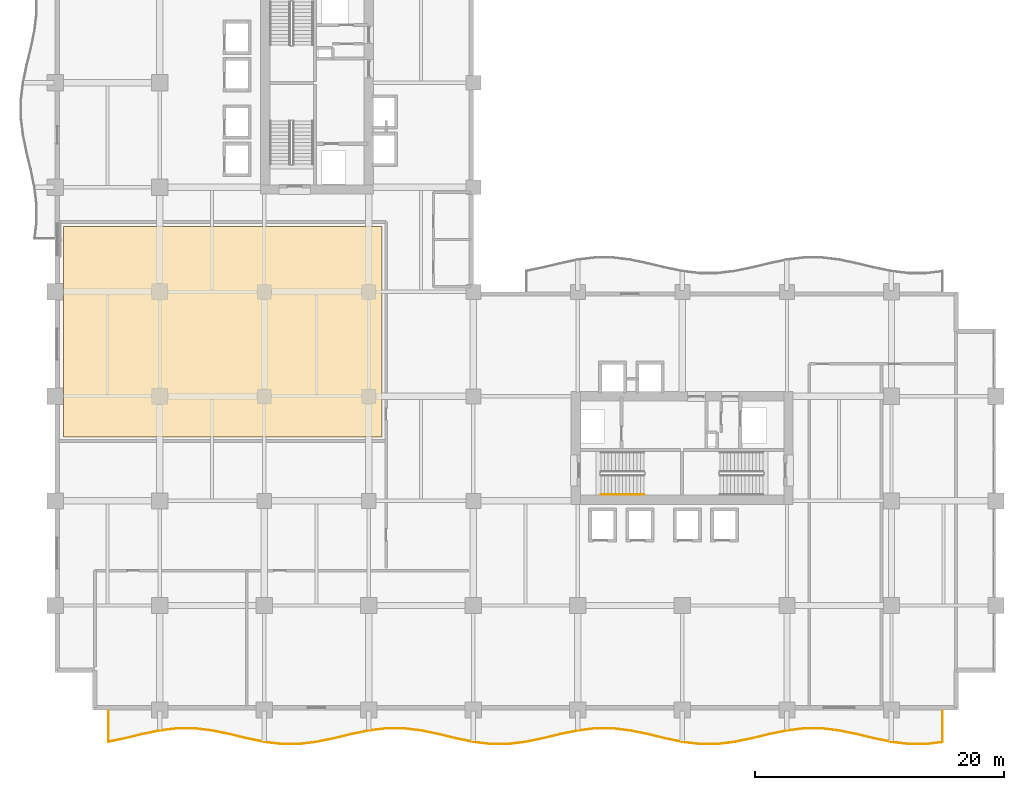
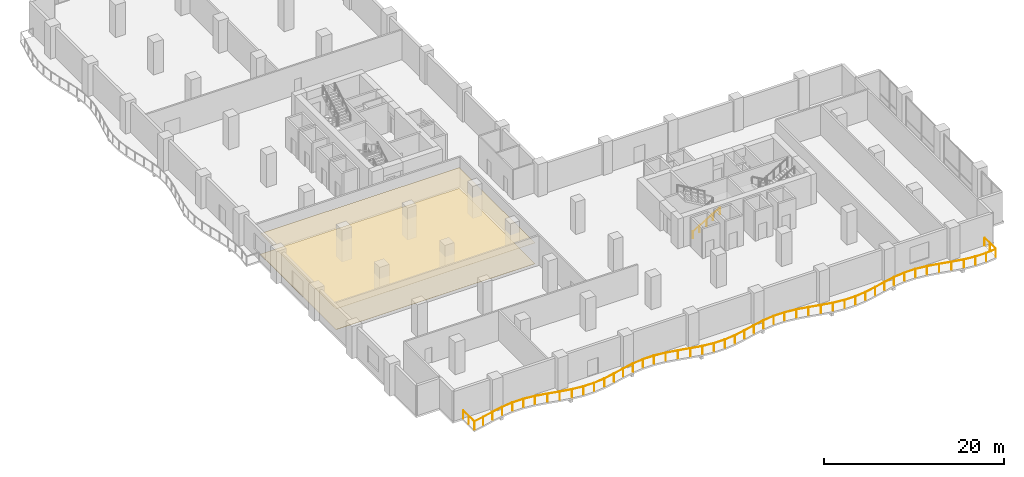
# One storey, part 21 of 24: 2 coverings, 2 railings.
"""IFC4 building model written with IfcOpenShell, lengths in metres."""

from ifc_helpers import new_model, si_unit, direction, frame, origin, origin_2d, place, context, subcontext, project, spatial, polyline, circle, outline, extrude, material, layer, layer_set, type_object, element, save


model = new_model("IFC4")

# Units and contexts
model_context = context("Model", 3, precision=1e-05, world=origin(), true_north=direction((0.0, 1.0)))
body_context = subcontext(model_context, "Body", "Model", "MODEL_VIEW")
ifc_project = project(units=[si_unit("LENGTHUNIT", "METRE"), si_unit("AREAUNIT", "SQUARE_METRE"), si_unit("VOLUMEUNIT", "CUBIC_METRE"), si_unit("PLANEANGLEUNIT", "RADIAN"), si_unit("MASSUNIT", "GRAM", prefix="KILO")], contexts=[model_context])

# Site, building, storey
site_placement = place(None, origin())
site = spatial("IfcSite", under=ifc_project, at=site_placement, CompositionType="ELEMENT")
building_placement = place(site_placement, origin())
building = spatial("IfcBuilding", under=site, at=building_placement, Name="Koriwani Terraces Tower", CompositionType="ELEMENT")
storey_placement = place(building_placement, frame((0.0, 0.0, 89.60009765625)))
storey = spatial("IfcBuildingStorey", under=building, at=storey_placement, Name="L21", CompositionType="ELEMENT", Elevation=89.60009765625)

# Coverings
ifc_material_1 = material(Name="Fire-Rated Acoustic Gypsum Partition", Category="masonry")
ifc_layer_1 = layer(ifc_material_1, 0.02490234375, Name="Fire-Rated Acoustic Gypsum Partition")
ifc_layer_set_1 = layer_set([ifc_layer_1], Name="Fire-Rated Acoustic Gypsum Partition")
covering_type_1 = type_object("IfcCoveringType", Name="CEILING_ACOUSTIC_GYPSUM", PredefinedType="CEILING", material=ifc_layer_set_1)
covering_1_placement = place(storey_placement, frame((0.0, 0.0, 2.824951171875)))
element("IfcCovering", 1, at=covering_1_placement, inside=storey, type_object=covering_type_1, Name="L21 Suspended Acoustic Gypsum Ceiling", PredefinedType="CEILING", context=body_context, shape_type="SweptSolid", body=[
    extrude(outline(polyline([(0.64990234375, 21.949951171875), (0.64990234375, 38.85009765625), (26.25, 38.85009765625), (26.25, 21.949951171875), (0.64990234375, 21.949951171875)])), origin(), (0.0, 0.0, 1.0), 0.02490234375),
])
ifc_material_2 = material(Name="Polished Andean Slate Flooring", Category="masonry")
ifc_layer_2 = layer(ifc_material_2, 0.030029296875, Name="Polished Andean Slate Flooring")
ifc_layer_set_2 = layer_set([ifc_layer_2], Name="Polished Andean Slate Flooring")
covering_type_2 = type_object("IfcCoveringType", Name="FLOORING_ANDEAN_STONE", PredefinedType="FLOORING", material=ifc_layer_set_2)
covering_2_placement = place(storey_placement, origin())
element("IfcCovering", 2, at=covering_2_placement, inside=storey, type_object=covering_type_2, Name="L21 Polished Andean Slate Floor Finish", PredefinedType="FLOORING", context=body_context, shape_type="SweptSolid", body=[
    extrude(outline(polyline([(0.64990234375, 21.949951171875), (0.64990234375, 38.85009765625), (26.25, 38.85009765625), (26.25, 21.949951171875), (0.64990234375, 21.949951171875)])), origin(), (0.0, 0.0, 1.0), 0.02978515625),
])

# Railings
ifc_material_3 = material(Name="Steel ASTM A572 Grade 50", Category="steel")
railing_type_1 = type_object("IfcRailingType", Name="GUARD_BALUSTRADE_1150", PredefinedType="BALUSTRADE", material=ifc_material_3)
railing_1_placement = place(storey_placement, frame((4.280029296875, -0.080078125, 0.0)))
element("IfcRailing", 3, at=railing_1_placement, inside=storey, type_object=railing_type_1, Name="L21 Balcony Perimeter Safety Balustrade (S)", PredefinedType="BALUSTRADE", context=body_context, shape_type="SweptSolid", body=[
    extrude(circle(Radius=0.02392578125, at=origin_2d()), frame((0.0, 0.0, 1.1259765625), z_axis=(0.0, -1.0, 0.0), x_axis=(1.0, 0.0, 0.0)), (0.0, 0.0, 1.0), 2.481201171875),
    extrude(circle(Radius=0.02392578125, at=origin_2d()), frame((0.0, -2.481201171875, 1.1259765625), z_axis=(0.978997209688, 0.203873645729, 0.0), x_axis=(-0.203873645729, 0.978997209688, 0.0)), (0.0, 0.0, 1.0), 1.330322265625),
    extrude(circle(Radius=0.02392578125, at=origin_2d()), frame((1.302490234375, -2.2099609375, 1.1259765625), z_axis=(0.972316453264, 0.233667958249, 0.0), x_axis=(-0.233667958249, 0.972316453264, 0.0)), (0.0, 0.0, 1.0), 1.439697265625),
    extrude(circle(Radius=0.02392578125, at=origin_2d()), frame((2.702392578125, -1.87353515625, 1.1259765625), z_axis=(0.979073746732, 0.203505770089, 0.0), x_axis=(-0.203505770089, 0.979073746732, 0.0)), (0.0, 0.0, 1.0), 1.434814453125),
    extrude(circle(Radius=0.02392578125, at=origin_2d()), frame((4.107177734375, -1.58154296875, 1.1259765625), z_axis=(0.992857273618, 0.119308148191, 0.0), x_axis=(-0.119308148191, 0.992857273618, 0.0)), (0.0, 0.0, 1.0), 1.41796875),
    extrude(circle(Radius=0.02392578125, at=origin_2d()), frame((5.51513671875, -1.412353515625, 1.1259765625), z_axis=(1.0, 0.0, 0.0), x_axis=(0.0, 1.0, 0.0)), (0.0, 0.0, 1.0), 1.40966796875),
    extrude(circle(Radius=0.02392578125, at=origin_2d()), frame((6.9248046875, -1.412353515625, 1.1259765625), z_axis=(0.992857273618, -0.119308148191, 0.0), x_axis=(0.119308148191, 0.992857273618, 0.0)), (0.0, 0.0, 1.0), 1.41796875),
    extrude(circle(Radius=0.02392578125, at=origin_2d()), frame((8.332763671875, -1.58154296875, 1.1259765625), z_axis=(0.979073746732, -0.203505770089, 0.0), x_axis=(0.203505770089, 0.979073746732, 0.0)), (0.0, 0.0, 1.0), 1.434814453125),
    extrude(circle(Radius=0.02392578125, at=origin_2d()), frame((9.737548828125, -1.87353515625, 1.1259765625), z_axis=(0.972316453264, -0.233667958249, 0.0), x_axis=(0.233667958249, 0.972316453264, 0.0)), (0.0, 0.0, 1.0), 1.439697265625),
    extrude(circle(Radius=0.02392578125, at=origin_2d()), frame((11.137451171875, -2.2099609375, 1.1259765625), z_axis=(0.979008908546, -0.203817459967, 0.0), x_axis=(0.203817459967, 0.979008908546, 0.0)), (0.0, 0.0, 1.0), 1.425537109375),
    extrude(circle(Radius=0.02392578125, at=origin_2d()), frame((12.532958984375, -2.50048828125, 1.1259765625), z_axis=(0.992858697273, -0.119296300234, 0.0), x_axis=(0.119296300234, 0.992858697273, 0.0)), (0.0, 0.0, 1.0), 1.40185546875),
    extrude(circle(Radius=0.02392578125, at=origin_2d()), frame((13.9248046875, -2.667724609375, 1.1259765625), z_axis=(1.0, 0.0, 0.0), x_axis=(0.0, 1.0, 0.0)), (0.0, 0.0, 1.0), 1.390380859375),
    extrude(circle(Radius=0.02392578125, at=origin_2d()), frame((15.315185546875, -2.667724609375, 1.1259765625), z_axis=(0.992858697273, 0.119296300234, 0.0), x_axis=(-0.119296300234, 0.992858697273, 0.0)), (0.0, 0.0, 1.0), 1.40185546875),
    extrude(circle(Radius=0.02392578125, at=origin_2d()), frame((16.70703125, -2.50048828125, 1.1259765625), z_axis=(0.979008908546, 0.203817459967, 0.0), x_axis=(-0.203817459967, 0.979008908546, 0.0)), (0.0, 0.0, 1.0), 1.425537109375),
    extrude(circle(Radius=0.02392578125, at=origin_2d()), frame((18.1025390625, -2.2099609375, 1.1259765625), z_axis=(0.972316453264, 0.233667958249, 0.0), x_axis=(-0.233667958249, 0.972316453264, 0.0)), (0.0, 0.0, 1.0), 1.439697265625),
    extrude(circle(Radius=0.02392578125, at=origin_2d()), frame((19.50244140625, -1.87353515625, 1.1259765625), z_axis=(0.979066698056, 0.203539678581, 0.0), x_axis=(-0.203539678581, 0.979066698056, 0.0)), (0.0, 0.0, 1.0), 1.4345703125),
    extrude(circle(Radius=0.02392578125, at=origin_2d()), frame((20.906982421875, -1.58154296875, 1.1259765625), z_axis=(0.992859723616, 0.119287758056, 0.0), x_axis=(-0.119287758056, 0.992859723616, 0.0)), (0.0, 0.0, 1.0), 1.418212890625),
    extrude(circle(Radius=0.02392578125, at=origin_2d()), frame((22.315185546875, -1.412353515625, 1.1259765625), z_axis=(1.0, 0.0, 0.0), x_axis=(0.0, 1.0, 0.0)), (0.0, 0.0, 1.0), 1.40966796875),
    extrude(circle(Radius=0.02392578125, at=origin_2d()), frame((23.724853515625, -1.412353515625, 1.1259765625), z_axis=(0.992857273618, -0.119308148191, 0.0), x_axis=(0.119308148191, 0.992857273618, 0.0)), (0.0, 0.0, 1.0), 1.41796875),
    extrude(circle(Radius=0.02392578125, at=origin_2d()), frame((25.1328125, -1.58154296875, 1.1259765625), z_axis=(0.979066698056, -0.203539678581, 0.0), x_axis=(0.203539678581, 0.979066698056, 0.0)), (0.0, 0.0, 1.0), 1.4345703125),
    extrude(circle(Radius=0.02392578125, at=origin_2d()), frame((26.537353515625, -1.87353515625, 1.1259765625), z_axis=(0.972325709638, -0.233629438166, 0.0), x_axis=(0.233629438166, 0.972325709638, 0.0)), (0.0, 0.0, 1.0), 1.43994140625),
    extrude(circle(Radius=0.02392578125, at=origin_2d()), frame((27.9375, -2.2099609375, 1.1259765625), z_axis=(0.979001791719, -0.20385164167, 0.0), x_axis=(0.20385164167, 0.979001791719, 0.0)), (0.0, 0.0, 1.0), 1.42529296875),
    extrude(circle(Radius=0.02392578125, at=origin_2d()), frame((29.332763671875, -2.50048828125, 1.1259765625), z_axis=(0.992861175138, -0.119275676073, 0.0), x_axis=(0.119275676073, 0.992861175138, 0.0)), (0.0, 0.0, 1.0), 1.402099609375),
    extrude(circle(Radius=0.02392578125, at=origin_2d()), frame((30.724853515625, -2.667724609375, 1.1259765625), z_axis=(1.0, 0.0, 0.0), x_axis=(0.0, 1.0, 0.0)), (0.0, 0.0, 1.0), 1.390380859375),
    extrude(circle(Radius=0.02392578125, at=origin_2d()), frame((32.115234375, -2.667724609375, 1.1259765625), z_axis=(0.992858697273, 0.119296300234, 0.0), x_axis=(-0.119296300234, 0.992858697273, 0.0)), (0.0, 0.0, 1.0), 1.40185546875),
    extrude(circle(Radius=0.02392578125, at=origin_2d()), frame((33.507080078125, -2.50048828125, 1.1259765625), z_axis=(0.979008908546, 0.203817459967, 0.0), x_axis=(-0.203817459967, 0.979008908546, 0.0)), (0.0, 0.0, 1.0), 1.425537109375),
    extrude(circle(Radius=0.02392578125, at=origin_2d()), frame((34.902587890625, -2.2099609375, 1.1259765625), z_axis=(0.972316453264, 0.233667958249, 0.0), x_axis=(-0.233667958249, 0.972316453264, 0.0)), (0.0, 0.0, 1.0), 1.439697265625),
    extrude(circle(Radius=0.02392578125, at=origin_2d()), frame((36.302490234375, -1.87353515625, 1.1259765625), z_axis=(0.979066698056, 0.203539678581, 0.0), x_axis=(-0.203539678581, 0.979066698056, 0.0)), (0.0, 0.0, 1.0), 1.4345703125),
    extrude(circle(Radius=0.02392578125, at=origin_2d()), frame((37.70703125, -1.58154296875, 1.1259765625), z_axis=(0.992859723616, 0.119287758056, 0.0), x_axis=(-0.119287758056, 0.992859723616, 0.0)), (0.0, 0.0, 1.0), 1.418212890625),
    extrude(circle(Radius=0.02392578125, at=origin_2d()), frame((39.115234375, -1.412353515625, 1.1259765625), z_axis=(1.0, 0.0, 0.0), x_axis=(0.0, 1.0, 0.0)), (0.0, 0.0, 1.0), 1.409423828125),
    extrude(circle(Radius=0.02392578125, at=origin_2d()), frame((40.524658203125, -1.412353515625, 1.1259765625), z_axis=(0.992859723616, -0.119287758056, 0.0), x_axis=(0.119287758056, 0.992859723616, 0.0)), (0.0, 0.0, 1.0), 1.418212890625),
    extrude(circle(Radius=0.02392578125, at=origin_2d()), frame((41.932861328125, -1.58154296875, 1.1259765625), z_axis=(0.979066698056, -0.203539678581, 0.0), x_axis=(0.203539678581, 0.979066698056, 0.0)), (0.0, 0.0, 1.0), 1.4345703125),
    extrude(circle(Radius=0.02392578125, at=origin_2d()), frame((43.33740234375, -1.87353515625, 1.1259765625), z_axis=(0.972325709638, -0.233629438166, 0.0), x_axis=(0.233629438166, 0.972325709638, 0.0)), (0.0, 0.0, 1.0), 1.43994140625),
    extrude(circle(Radius=0.02392578125, at=origin_2d()), frame((44.737548828125, -2.2099609375, 1.1259765625), z_axis=(0.979001791719, -0.20385164167, 0.0), x_axis=(0.20385164167, 0.979001791719, 0.0)), (0.0, 0.0, 1.0), 1.42529296875),
    extrude(circle(Radius=0.02392578125, at=origin_2d()), frame((46.1328125, -2.50048828125, 1.1259765625), z_axis=(0.992858697273, -0.119296300234, 0.0), x_axis=(0.119296300234, 0.992858697273, 0.0)), (0.0, 0.0, 1.0), 1.40185546875),
    extrude(circle(Radius=0.02392578125, at=origin_2d()), frame((47.524658203125, -2.667724609375, 1.1259765625), z_axis=(1.0, 0.0, 0.0), x_axis=(0.0, 1.0, 0.0)), (0.0, 0.0, 1.0), 1.390625),
    extrude(circle(Radius=0.02392578125, at=origin_2d()), frame((48.915283203125, -2.667724609375, 1.1259765625), z_axis=(0.992858697273, 0.119296300234, 0.0), x_axis=(-0.119296300234, 0.992858697273, 0.0)), (0.0, 0.0, 1.0), 1.40185546875),
    extrude(circle(Radius=0.02392578125, at=origin_2d()), frame((50.30712890625, -2.50048828125, 1.1259765625), z_axis=(0.979001791719, 0.20385164167, 0.0), x_axis=(-0.20385164167, 0.979001791719, 0.0)), (0.0, 0.0, 1.0), 1.42529296875),
    extrude(circle(Radius=0.02392578125, at=origin_2d()), frame((51.702392578125, -2.2099609375, 1.1259765625), z_axis=(0.972325709638, 0.233629438166, 0.0), x_axis=(-0.233629438166, 0.972325709638, 0.0)), (0.0, 0.0, 1.0), 1.43994140625),
    extrude(circle(Radius=0.02392578125, at=origin_2d()), frame((53.1025390625, -1.87353515625, 1.1259765625), z_axis=(0.979066698056, 0.203539678581, 0.0), x_axis=(-0.203539678581, 0.979066698056, 0.0)), (0.0, 0.0, 1.0), 1.4345703125),
    extrude(circle(Radius=0.02392578125, at=origin_2d()), frame((54.507080078125, -1.58154296875, 1.1259765625), z_axis=(0.992859723616, 0.119287758056, 0.0), x_axis=(-0.119287758056, 0.992859723616, 0.0)), (0.0, 0.0, 1.0), 1.418212890625),
    extrude(circle(Radius=0.02392578125, at=origin_2d()), frame((55.915283203125, -1.412353515625, 1.1259765625), z_axis=(1.0, 0.0, 0.0), x_axis=(0.0, 1.0, 0.0)), (0.0, 0.0, 1.0), 1.409423828125),
    extrude(circle(Radius=0.02392578125, at=origin_2d()), frame((57.32470703125, -1.412353515625, 1.1259765625), z_axis=(0.992859723616, -0.119287758056, 0.0), x_axis=(0.119287758056, 0.992859723616, 0.0)), (0.0, 0.0, 1.0), 1.418212890625),
    extrude(circle(Radius=0.02392578125, at=origin_2d()), frame((58.73291015625, -1.58154296875, 1.1259765625), z_axis=(0.979066698056, -0.203539678581, 0.0), x_axis=(0.203539678581, 0.979066698056, 0.0)), (0.0, 0.0, 1.0), 1.4345703125),
    extrude(circle(Radius=0.02392578125, at=origin_2d()), frame((60.137451171875, -1.87353515625, 1.1259765625), z_axis=(0.972316453264, -0.233667958249, 0.0), x_axis=(0.233667958249, 0.972316453264, 0.0)), (0.0, 0.0, 1.0), 1.439697265625),
    extrude(circle(Radius=0.02392578125, at=origin_2d()), frame((61.537353515625, -2.2099609375, 1.1259765625), z_axis=(0.979008908546, -0.203817459967, 0.0), x_axis=(0.203817459967, 0.979008908546, 0.0)), (0.0, 0.0, 1.0), 1.425537109375),
    extrude(circle(Radius=0.02392578125, at=origin_2d()), frame((62.932861328125, -2.50048828125, 1.1259765625), z_axis=(0.992858697273, -0.119296300234, 0.0), x_axis=(0.119296300234, 0.992858697273, 0.0)), (0.0, 0.0, 1.0), 1.40185546875),
    extrude(circle(Radius=0.02392578125, at=origin_2d()), frame((64.32470703125, -2.667724609375, 1.1259765625), z_axis=(1.0, 0.0, 0.0), x_axis=(0.0, 1.0, 0.0)), (0.0, 0.0, 1.0), 1.390380859375),
    extrude(circle(Radius=0.02392578125, at=origin_2d()), frame((65.715087890625, -2.667724609375, 1.1259765625), z_axis=(0.992860380993, 0.119282286421, 0.0), x_axis=(-0.119282286421, 0.992860380993, 0.0)), (0.0, 0.0, 1.0), 1.33447265625),
    extrude(circle(Radius=0.02392578125, at=origin_2d()), frame((67.0400390625, -2.508544921875, 1.1259765625), z_axis=(0.0, 1.0, 0.0), x_axis=(-1.0, 0.0, 0.0)), (0.0, 0.0, 1.0), 2.508544921875),
    extrude(circle(Radius=0.02099609375, at=origin_2d()), origin(), (0.0, 0.0, 1.0), 1.101806640625),
    extrude(circle(Radius=0.02099609375, at=origin_2d()), frame((0.0, -1.24072265625, 0.0)), (0.0, 0.0, 1.0), 1.101806640625),
    extrude(circle(Radius=0.02099609375, at=origin_2d()), frame((0.0, -2.481201171875, 0.0)), (0.0, 0.0, 1.0), 1.101806640625),
    extrude(circle(Radius=0.02099609375, at=origin_2d()), frame((1.302490234375, -2.2099609375, 0.0)), (0.0, 0.0, 1.0), 1.101806640625),
    extrude(circle(Radius=0.02099609375, at=origin_2d()), frame((2.702392578125, -1.87353515625, 0.0)), (0.0, 0.0, 1.0), 1.101806640625),
    extrude(circle(Radius=0.02099609375, at=origin_2d()), frame((4.107177734375, -1.58154296875, 0.0)), (0.0, 0.0, 1.0), 1.101806640625),
    extrude(circle(Radius=0.02099609375, at=origin_2d()), frame((5.51513671875, -1.412353515625, 0.0)), (0.0, 0.0, 1.0), 1.101806640625),
    extrude(circle(Radius=0.02099609375, at=origin_2d()), frame((6.9248046875, -1.412353515625, 0.0)), (0.0, 0.0, 1.0), 1.101806640625),
    extrude(circle(Radius=0.02099609375, at=origin_2d()), frame((8.332763671875, -1.58154296875, 0.0)), (0.0, 0.0, 1.0), 1.101806640625),
    extrude(circle(Radius=0.02099609375, at=origin_2d()), frame((9.737548828125, -1.87353515625, 0.0)), (0.0, 0.0, 1.0), 1.101806640625),
    extrude(circle(Radius=0.02099609375, at=origin_2d()), frame((11.137451171875, -2.2099609375, 0.0)), (0.0, 0.0, 1.0), 1.101806640625),
    extrude(circle(Radius=0.02099609375, at=origin_2d()), frame((12.532958984375, -2.50048828125, 0.0)), (0.0, 0.0, 1.0), 1.101806640625),
    extrude(circle(Radius=0.02099609375, at=origin_2d()), frame((13.9248046875, -2.667724609375, 0.0)), (0.0, 0.0, 1.0), 1.101806640625),
    extrude(circle(Radius=0.02099609375, at=origin_2d()), frame((15.315185546875, -2.667724609375, 0.0)), (0.0, 0.0, 1.0), 1.101806640625),
    extrude(circle(Radius=0.02099609375, at=origin_2d()), frame((16.70703125, -2.50048828125, 0.0)), (0.0, 0.0, 1.0), 1.101806640625),
    extrude(circle(Radius=0.02099609375, at=origin_2d()), frame((18.1025390625, -2.2099609375, 0.0)), (0.0, 0.0, 1.0), 1.101806640625),
    extrude(circle(Radius=0.02099609375, at=origin_2d()), frame((19.50244140625, -1.87353515625, 0.0)), (0.0, 0.0, 1.0), 1.101806640625),
    extrude(circle(Radius=0.02099609375, at=origin_2d()), frame((20.906982421875, -1.58154296875, 0.0)), (0.0, 0.0, 1.0), 1.101806640625),
    extrude(circle(Radius=0.02099609375, at=origin_2d()), frame((22.315185546875, -1.412353515625, 0.0)), (0.0, 0.0, 1.0), 1.101806640625),
    extrude(circle(Radius=0.02099609375, at=origin_2d()), frame((23.724853515625, -1.412353515625, 0.0)), (0.0, 0.0, 1.0), 1.101806640625),
    extrude(circle(Radius=0.02099609375, at=origin_2d()), frame((25.1328125, -1.58154296875, 0.0)), (0.0, 0.0, 1.0), 1.101806640625),
    extrude(circle(Radius=0.02099609375, at=origin_2d()), frame((26.537353515625, -1.87353515625, 0.0)), (0.0, 0.0, 1.0), 1.101806640625),
    extrude(circle(Radius=0.02099609375, at=origin_2d()), frame((27.9375, -2.2099609375, 0.0)), (0.0, 0.0, 1.0), 1.101806640625),
    extrude(circle(Radius=0.02099609375, at=origin_2d()), frame((29.332763671875, -2.50048828125, 0.0)), (0.0, 0.0, 1.0), 1.101806640625),
    extrude(circle(Radius=0.02099609375, at=origin_2d()), frame((30.724853515625, -2.667724609375, 0.0)), (0.0, 0.0, 1.0), 1.101806640625),
    extrude(circle(Radius=0.02099609375, at=origin_2d()), frame((32.115234375, -2.667724609375, 0.0)), (0.0, 0.0, 1.0), 1.101806640625),
    extrude(circle(Radius=0.02099609375, at=origin_2d()), frame((33.507080078125, -2.50048828125, 0.0)), (0.0, 0.0, 1.0), 1.101806640625),
    extrude(circle(Radius=0.02099609375, at=origin_2d()), frame((34.902587890625, -2.2099609375, 0.0)), (0.0, 0.0, 1.0), 1.101806640625),
    extrude(circle(Radius=0.02099609375, at=origin_2d()), frame((36.302490234375, -1.87353515625, 0.0)), (0.0, 0.0, 1.0), 1.101806640625),
    extrude(circle(Radius=0.02099609375, at=origin_2d()), frame((37.70703125, -1.58154296875, 0.0)), (0.0, 0.0, 1.0), 1.101806640625),
    extrude(circle(Radius=0.02099609375, at=origin_2d()), frame((39.115234375, -1.412353515625, 0.0)), (0.0, 0.0, 1.0), 1.101806640625),
    extrude(circle(Radius=0.02099609375, at=origin_2d()), frame((40.524658203125, -1.412353515625, 0.0)), (0.0, 0.0, 1.0), 1.101806640625),
    extrude(circle(Radius=0.02099609375, at=origin_2d()), frame((41.932861328125, -1.58154296875, 0.0)), (0.0, 0.0, 1.0), 1.101806640625),
    extrude(circle(Radius=0.02099609375, at=origin_2d()), frame((43.33740234375, -1.87353515625, 0.0)), (0.0, 0.0, 1.0), 1.101806640625),
    extrude(circle(Radius=0.02099609375, at=origin_2d()), frame((44.737548828125, -2.2099609375, 0.0)), (0.0, 0.0, 1.0), 1.101806640625),
    extrude(circle(Radius=0.02099609375, at=origin_2d()), frame((46.1328125, -2.50048828125, 0.0)), (0.0, 0.0, 1.0), 1.101806640625),
    extrude(circle(Radius=0.02099609375, at=origin_2d()), frame((47.524658203125, -2.667724609375, 0.0)), (0.0, 0.0, 1.0), 1.101806640625),
    extrude(circle(Radius=0.02099609375, at=origin_2d()), frame((48.915283203125, -2.667724609375, 0.0)), (0.0, 0.0, 1.0), 1.101806640625),
    extrude(circle(Radius=0.02099609375, at=origin_2d()), frame((50.30712890625, -2.50048828125, 0.0)), (0.0, 0.0, 1.0), 1.101806640625),
    extrude(circle(Radius=0.02099609375, at=origin_2d()), frame((51.702392578125, -2.2099609375, 0.0)), (0.0, 0.0, 1.0), 1.101806640625),
    extrude(circle(Radius=0.02099609375, at=origin_2d()), frame((53.1025390625, -1.87353515625, 0.0)), (0.0, 0.0, 1.0), 1.101806640625),
    extrude(circle(Radius=0.02099609375, at=origin_2d()), frame((54.507080078125, -1.58154296875, 0.0)), (0.0, 0.0, 1.0), 1.101806640625),
    extrude(circle(Radius=0.02099609375, at=origin_2d()), frame((55.915283203125, -1.412353515625, 0.0)), (0.0, 0.0, 1.0), 1.101806640625),
    extrude(circle(Radius=0.02099609375, at=origin_2d()), frame((57.32470703125, -1.412353515625, 0.0)), (0.0, 0.0, 1.0), 1.101806640625),
    extrude(circle(Radius=0.02099609375, at=origin_2d()), frame((58.73291015625, -1.58154296875, 0.0)), (0.0, 0.0, 1.0), 1.101806640625),
    extrude(circle(Radius=0.02099609375, at=origin_2d()), frame((60.137451171875, -1.87353515625, 0.0)), (0.0, 0.0, 1.0), 1.101806640625),
    extrude(circle(Radius=0.02099609375, at=origin_2d()), frame((61.537353515625, -2.2099609375, 0.0)), (0.0, 0.0, 1.0), 1.101806640625),
    extrude(circle(Radius=0.02099609375, at=origin_2d()), frame((62.932861328125, -2.50048828125, 0.0)), (0.0, 0.0, 1.0), 1.101806640625),
    extrude(circle(Radius=0.02099609375, at=origin_2d()), frame((64.32470703125, -2.667724609375, 0.0)), (0.0, 0.0, 1.0), 1.101806640625),
    extrude(circle(Radius=0.02099609375, at=origin_2d()), frame((65.715087890625, -2.667724609375, 0.0)), (0.0, 0.0, 1.0), 1.101806640625),
    extrude(circle(Radius=0.02099609375, at=origin_2d()), frame((67.0400390625, -2.508544921875, 0.0)), (0.0, 0.0, 1.0), 1.101806640625),
    extrude(circle(Radius=0.02099609375, at=origin_2d()), frame((67.0400390625, -1.25439453125, 0.0)), (0.0, 0.0, 1.0), 1.101806640625),
    extrude(circle(Radius=0.02099609375, at=origin_2d()), frame((67.0400390625, 0.0, 0.0)), (0.0, 0.0, 1.0), 1.101806640625),
])
railing_type_2 = type_object("IfcRailingType", Name="HANDRAIL_STAIR_920", PredefinedType="HANDRAIL", material=ifc_material_3)
railing_2_placement = place(storey_placement, frame((43.85009765625, 17.300048828125, 0.169189453125)))
element("IfcRailing", 4, at=railing_2_placement, inside=storey, type_object=railing_type_2, Name="L21 ST-E1 stair handrail 1", PredefinedType="HANDRAIL", context=body_context, shape_type="SweptSolid", body=[
    extrude(circle(Radius=0.02392578125, at=origin_2d()), frame((0.0, 0.0, 0.8759765625), z_axis=(0.863695377172, 0.0, 0.504014181796), x_axis=(0.0, 1.0, 0.0)), (0.0, 0.0, 1.0), 4.029296875),
    extrude(circle(Radius=0.02099609375, at=origin_2d()), origin(), (0.0, 0.0, 1.0), 0.851806640625),
    extrude(circle(Radius=0.02099609375, at=origin_2d()), frame((0.8701171875, 0.0, 0.5078125)), (0.0, 0.0, 1.0), 0.851806640625),
    extrude(circle(Radius=0.02099609375, at=origin_2d()), frame((1.739990234375, 0.0, 1.015380859375)), (0.0, 0.0, 1.0), 0.851806640625),
    extrude(circle(Radius=0.02099609375, at=origin_2d()), frame((2.60986328125, 0.0, 1.52294921875)), (0.0, 0.0, 1.0), 0.851806640625),
    extrude(circle(Radius=0.02099609375, at=origin_2d()), frame((3.47998046875, 0.0, 2.03076171875)), (0.0, 0.0, 1.0), 0.851806640625),
])

save(model, "model.ifc")
